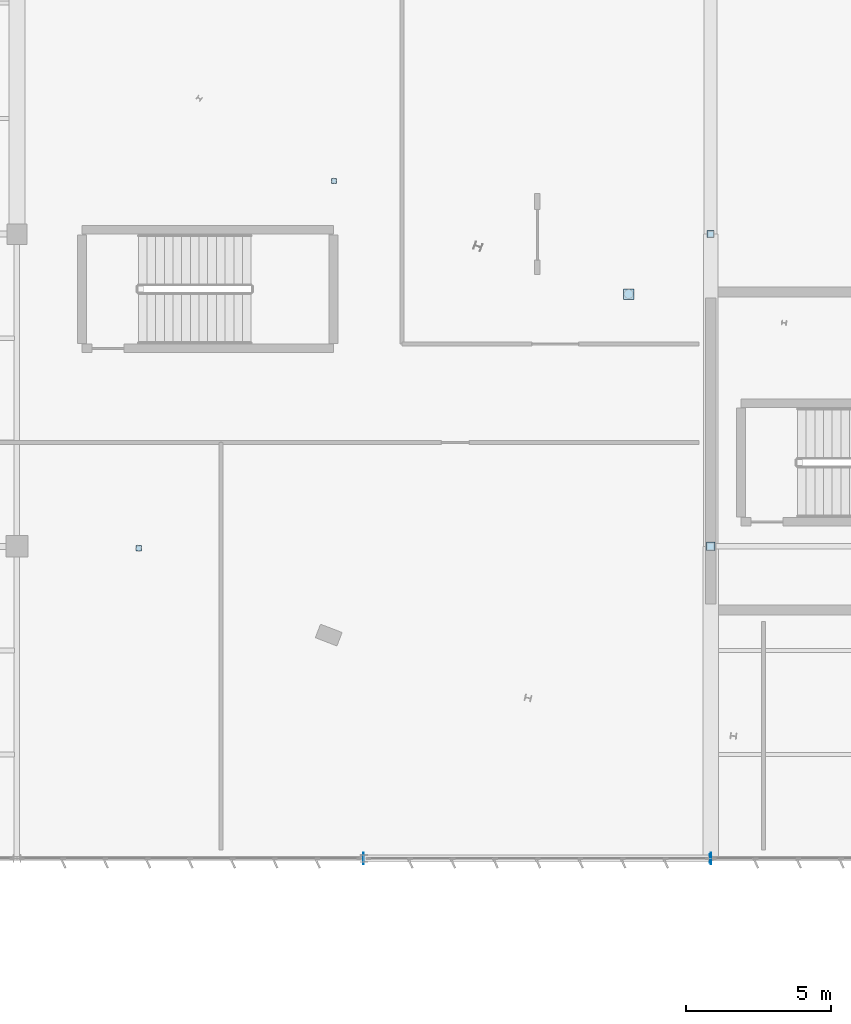
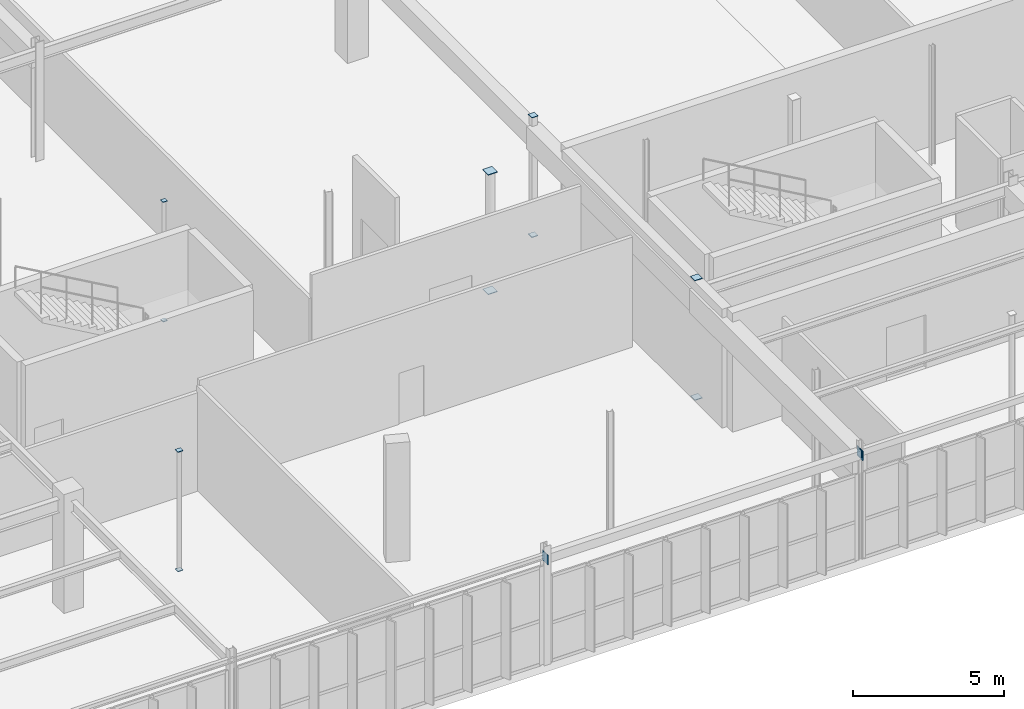
# One storey, part 135 of 199: 13 plates.
"""IFC4 building model written with IfcOpenShell, lengths in metres."""

from ifc_helpers import new_model, si_unit, direction, frame, origin, origin_2d, place, context, subcontext, project, spatial, rectangle, extrude, material, layer, layer_set, type_object, element, save


model = new_model("IFC4")

# Units and contexts
model_context = context("Model", 3, precision=1e-05, world=origin(), true_north=direction((0.0, 1.0)))
body_context = subcontext(model_context, "Body", "Model", "MODEL_VIEW")
ifc_project = project(units=[si_unit("LENGTHUNIT", "METRE"), si_unit("AREAUNIT", "SQUARE_METRE"), si_unit("VOLUMEUNIT", "CUBIC_METRE"), si_unit("PLANEANGLEUNIT", "RADIAN"), si_unit("MASSUNIT", "GRAM", prefix="KILO")], contexts=[model_context])

# Site, building, storey
site_placement = place(None, origin())
site = spatial("IfcSite", under=ifc_project, at=site_placement, CompositionType="ELEMENT")
building_placement = place(site_placement, origin())
building = spatial("IfcBuilding", under=site, at=building_placement, Name="Tarnwether General Hospital", CompositionType="ELEMENT")
storey_placement = place(building_placement, origin())
storey = spatial("IfcBuildingStorey", under=building, at=storey_placement, Name="L00", CompositionType="ELEMENT", Elevation=0.0)

# Plates
ifc_material = material(Name="Steel Grade 350 (350 MPa)", Category="steel")
ifc_layer = layer(ifc_material, 0.02490234375)
ifc_layer_set = layer_set([ifc_layer], Name="Steel Grade 350 (350 MPa)")
plate_type = type_object("IfcPlateType", Name="PT-GUS2", PredefinedType="USERDEFINED", material=ifc_layer_set)
for number, where, z_axis, x_axis, name in (
    (1, (84.0, 10.800048828125, -0.02490234375), (0.0, 0.0, 1.0), (1.0, 0.0, 0.0), "Hollow Section Welded End Cap Plate 0151"),
    (2, (84.0, 10.800048828125, 4.800048828125), (0.0, 0.0, 1.0), (1.0, 0.0, 0.0), "Hollow Section Welded End Cap Plate 0152"),
):
    element("IfcPlate", number, at=place(storey_placement, frame(where, z_axis=z_axis, x_axis=x_axis)), inside=storey, type_object=plate_type, Name=name, ObjectType="GUSSET", PredefinedType="USERDEFINED", context=body_context, shape_type="SweptSolid", body=[
        extrude(rectangle(XDim=0.2900390625, YDim=0.2900390625, at=origin_2d()), origin(), (0.0, 0.0, 1.0), 0.02490234375),
    ])
for number, where, z_axis, x_axis, name in (
    (3, (84.0, 21.60009765625, -0.02490234375), (0.0, 0.0, 1.0), (1.0, 0.0, 0.0), "Hollow Section Welded End Cap Plate 0157"),
    (4, (84.0, 21.60009765625, 4.800048828125), (0.0, 0.0, 1.0), (1.0, 0.0, 0.0), "Hollow Section Welded End Cap Plate 0158"),
):
    element("IfcPlate", number, at=place(storey_placement, frame(where, z_axis=z_axis, x_axis=x_axis)), inside=storey, type_object=plate_type, Name=name, ObjectType="GUSSET", PredefinedType="USERDEFINED", context=body_context, shape_type="SweptSolid", body=[
        extrude(rectangle(XDim=0.239990234375, YDim=0.239990234375, at=origin_2d()), origin(), (0.0, 0.0, 1.0), 0.02490234375),
    ])
for number, where, z_axis, x_axis, name in (
    (5, (64.20703125, 10.72998046875, -0.02490234375), (0.0, 0.0, 1.0), (1.0, 0.0, 0.0), "Hollow Section Welded End Cap Plate 0625"),
    (6, (64.20703125, 10.72998046875, 4.800048828125), (0.0, 0.0, 1.0), (1.0, 0.0, 0.0), "Hollow Section Welded End Cap Plate 0626"),
):
    element("IfcPlate", number, at=place(storey_placement, frame(where, z_axis=z_axis, x_axis=x_axis)), inside=storey, type_object=plate_type, Name=name, ObjectType="GUSSET", PredefinedType="USERDEFINED", context=body_context, shape_type="SweptSolid", body=[
        extrude(rectangle(XDim=0.18994140625, YDim=0.18994140625, at=origin_2d()), origin(), (0.0, 0.0, 1.0), 0.02490234375),
    ])
for number, where, z_axis, x_axis, name in (
    (7, (70.968017578125, 23.444091796875, -0.02490234375), (0.0, 0.0, 1.0), (1.0, 0.0, 0.0), "Hollow Section Welded End Cap Plate 0633"),
    (8, (70.968017578125, 23.444091796875, 4.800048828125), (0.0, 0.0, 1.0), (1.0, 0.0, 0.0), "Hollow Section Welded End Cap Plate 0634"),
):
    element("IfcPlate", number, at=place(storey_placement, frame(where, z_axis=z_axis, x_axis=x_axis)), inside=storey, type_object=plate_type, Name=name, ObjectType="GUSSET", PredefinedType="USERDEFINED", context=body_context, shape_type="SweptSolid", body=[
        extrude(rectangle(XDim=0.1650390625, YDim=0.1650390625, at=origin_2d()), origin(), (0.0, 0.0, 1.0), 0.02490234375),
    ])
for number, where, z_axis, x_axis, name in (
    (9, (81.162109375, 19.531005859375, -0.02490234375), (0.0, 0.0, 1.0), (1.0, 0.0, 0.0), "Hollow Section Welded End Cap Plate 0655"),
    (10, (81.162109375, 19.531005859375, 4.800048828125), (0.0, 0.0, 1.0), (1.0, 0.0, 0.0), "Hollow Section Welded End Cap Plate 0656"),
):
    element("IfcPlate", number, at=place(storey_placement, frame(where, z_axis=z_axis, x_axis=x_axis)), inside=storey, type_object=plate_type, Name=name, ObjectType="GUSSET", PredefinedType="USERDEFINED", context=body_context, shape_type="SweptSolid", body=[
        extrude(rectangle(XDim=0.364013671875, YDim=0.364013671875, at=origin_2d()), origin(), (0.0, 0.0, 1.0), 0.02490234375),
    ])
for number, where, z_axis, x_axis, name in (
    (11, (71.987548828125, 0.0, 4.0751953125), (0.0, 0.0, 1.0), (1.0, 0.0, 0.0), "Hollow Section Welded End Cap Plate 0877"),
    (12, (84.012451171875, 0.0, 4.0751953125), (0.0, 0.0, 1.0), (1.0, 0.0, 0.0), "Hollow Section Welded End Cap Plate 0878"),
):
    element("IfcPlate", number, at=place(storey_placement, frame(where, z_axis=z_axis, x_axis=x_axis)), inside=storey, type_object=plate_type, Name=name, ObjectType="GUSSET", PredefinedType="USERDEFINED", context=body_context, shape_type="SweptSolid", body=[
        extrude(rectangle(XDim=0.02490234375, YDim=0.389892578125, at=origin_2d()), origin(), (0.0, 0.0, 1.0), 0.389892578125),
    ])
plate_placement = place(storey_placement, frame((83.987548828125, 0.0, 4.175048828125), z_axis=(0.0, 0.0, 1.0), x_axis=(1.0, 0.0, 0.0)))
element("IfcPlate", 13, at=plate_placement, inside=storey, type_object=plate_type, Name="Hollow Section Welded End Cap Plate 0879", ObjectType="GUSSET", PredefinedType="USERDEFINED", context=body_context, shape_type="SweptSolid", body=[
    extrude(rectangle(XDim=0.02490234375, YDim=0.2900390625, at=origin_2d()), origin(), (0.0, 0.0, 1.0), 0.2900390625),
])

save(model, "model.ifc")
